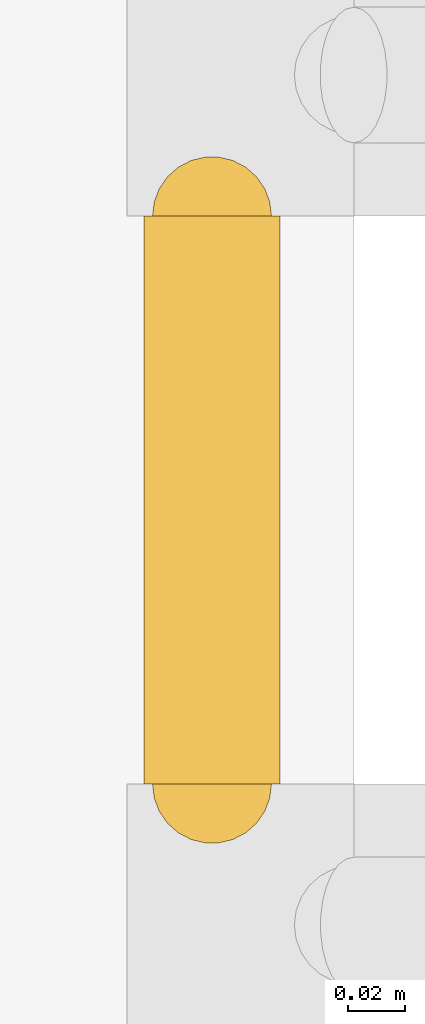
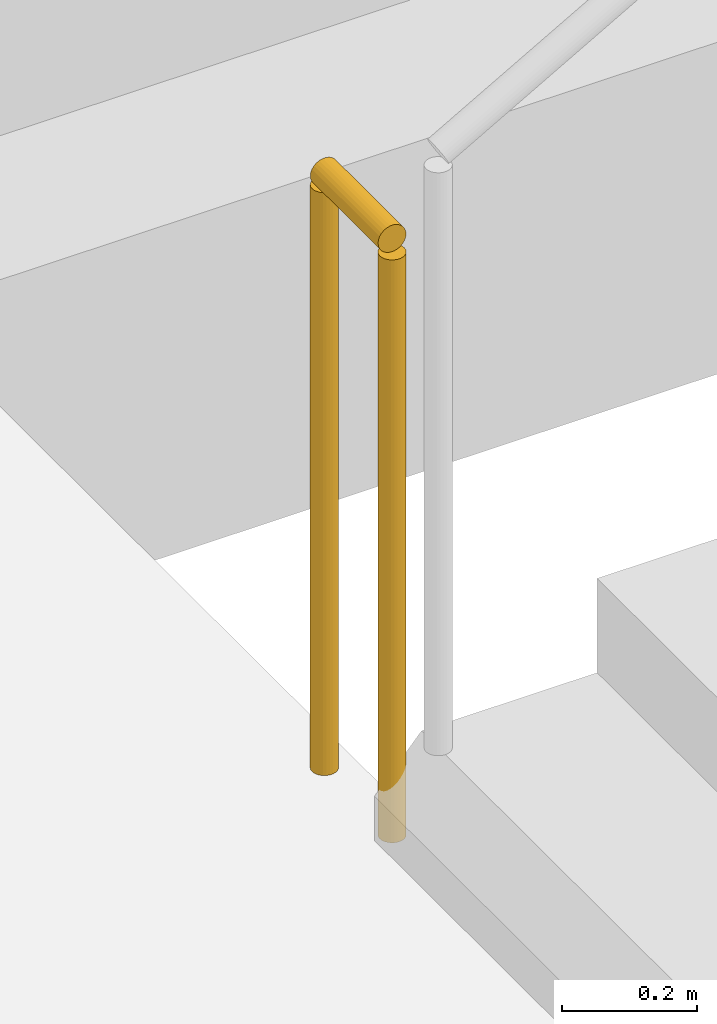
# One storey, part 118 of 127: 1 railing.
"""IFC4 building model written with IfcOpenShell, lengths in metres."""

from ifc_helpers import new_model, si_unit, direction, frame, origin, origin_2d, place, context, subcontext, project, spatial, circle, extrude, material, type_object, element, save


model = new_model("IFC4")

# Units and contexts
model_context = context("Model", 3, precision=1e-05, world=origin(), true_north=direction((0.0, 1.0)))
body_context = subcontext(model_context, "Body", "Model", "MODEL_VIEW")
ifc_project = project(units=[si_unit("LENGTHUNIT", "METRE"), si_unit("AREAUNIT", "SQUARE_METRE"), si_unit("VOLUMEUNIT", "CUBIC_METRE"), si_unit("PLANEANGLEUNIT", "RADIAN"), si_unit("MASSUNIT", "GRAM", prefix="KILO")], contexts=[model_context])

# Site, building, storey
site_placement = place(None, origin())
site = spatial("IfcSite", under=ifc_project, at=site_placement, CompositionType="ELEMENT")
building_placement = place(site_placement, origin())
building = spatial("IfcBuilding", under=site, at=building_placement, Name="Dunvalen Ferry Terminal", CompositionType="ELEMENT")
storey_placement = place(building_placement, frame((0.0, 0.0, 5.760009765625)))
storey = spatial("IfcBuildingStorey", under=building, at=storey_placement, Name="L01", CompositionType="ELEMENT", Elevation=5.760009765625)

# Railing
ifc_material = material(Name="Painted galvanised steel S275", Category="steel")
railing_type = type_object("IfcRailingType", Name="INT-RL-STGRD", PredefinedType="GUARDRAIL", material=ifc_material)
railing_placement = place(storey_placement, frame((63.39990234375, 19.39990234375, 0.0)))
element("IfcRailing", 1, at=railing_placement, inside=storey, type_object=railing_type, Name="L01 ST3 stair guard 4", PredefinedType="GUARDRAIL", context=body_context, shape_type="SweptSolid", body=[
    extrude(circle(Radius=0.02392578125, at=origin_2d()), frame((0.0, 0.0, 1.076171875), z_axis=(0.0, 1.0, 0.0), x_axis=(-1.0, 0.0, 0.0)), (0.0, 0.0, 1.0), 0.2001953125),
    extrude(circle(Radius=0.02099609375, at=origin_2d()), origin(), (0.0, 0.0, 1.0), 1.052001953125),
    extrude(circle(Radius=0.02099609375, at=origin_2d()), frame((0.0, 0.2001953125, 0.0)), (0.0, 0.0, 1.0), 1.052001953125),
])

save(model, "model.ifc")
